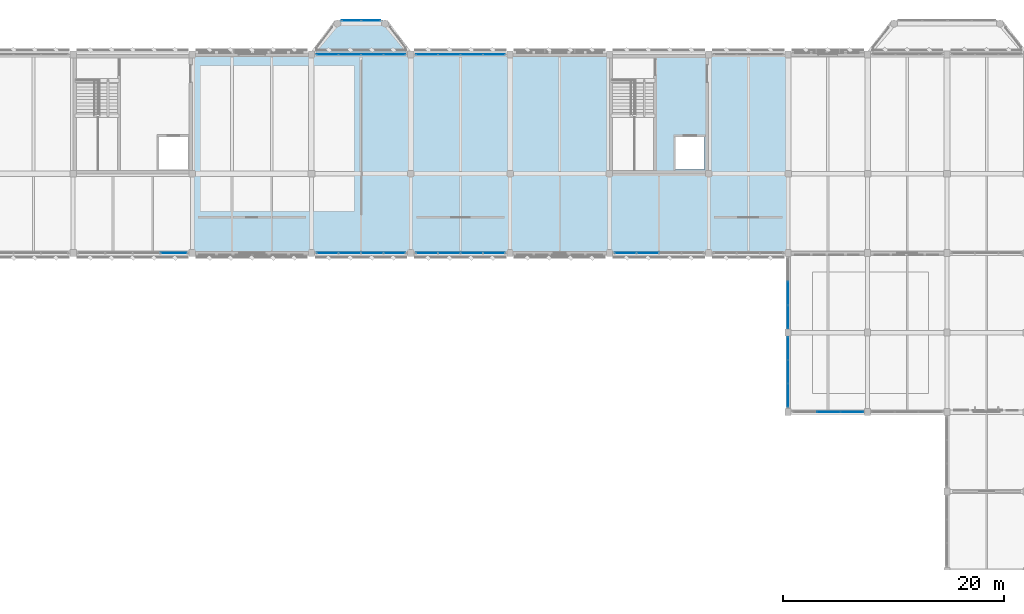
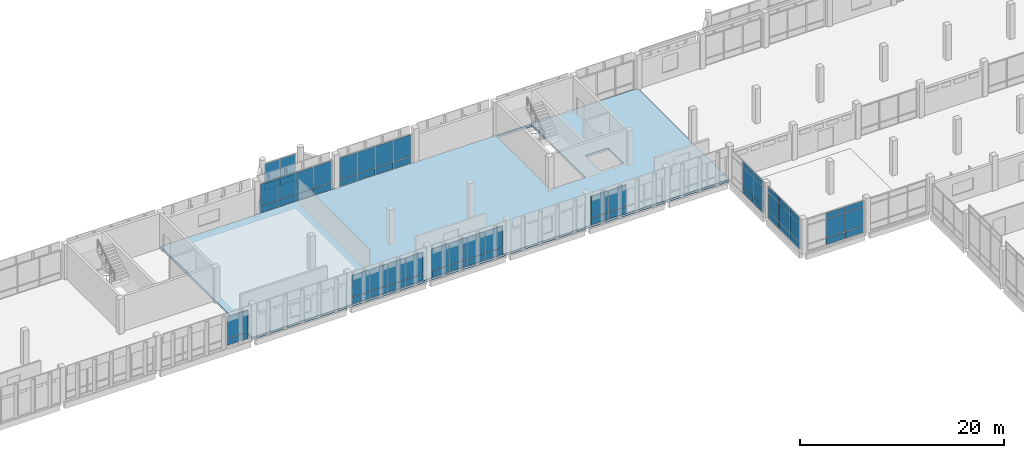
# One storey, part 124 of 158: 63 plates, 2 slabs, 10 elements without a shape of their own.
"""IFC4 building model written with IfcOpenShell, lengths in metres."""

import ifcopenshell
import ifcopenshell.guid

model = None  # the IFC model being written
_history = None  # IfcOwnerHistory: only IFC2X3 demands one
_inside = {}  # id of a spatial element -> (the spatial element, [elements in it])
_under = {}  # id of a project, library or spatial element -> (it, [spatial elements below it])
_declared = {}  # id of a project -> (the project, [libraries it declares])
_typed = {}  # id of a type object -> (the type object, [elements of that type])
_made_of = {}  # id of a material, layer set ... -> (it, [elements and type objects made of it])


def new_model(schema):
    """Start an empty IFC model of exactly this schema.

    Asked for "IFC4X3", IfcOpenShell would pick the latest addendum, in which some entities
    have other attributes; the version numbers below select the first issue.
    IFC2X3 requires an IfcOwnerHistory on every rooted entity: one is made here for all.
    """
    global model, _history
    if schema == "IFC4X3":
        model = ifcopenshell.file(schema_version=(4, 3, 0, 0))
    else:
        model = ifcopenshell.file(schema=schema)
    _inside.clear()
    _under.clear()
    _declared.clear()
    _typed.clear()
    _made_of.clear()
    _history = None
    if model.schema == "IFC2X3":
        org = make("IfcOrganization", Name="unknown")
        user = make(
            "IfcPersonAndOrganization",
            ThePerson=make("IfcPerson", FamilyName="unknown"),
            TheOrganization=org,
        )
        app = make(
            "IfcApplication",
            ApplicationDeveloper=org,
            Version="unknown",
            ApplicationFullName="unknown",
            ApplicationIdentifier="unknown",
        )
        _history = make(
            "IfcOwnerHistory",
            OwningUser=user,
            OwningApplication=app,
            ChangeAction="ADDED",
            CreationDate=0,
        )
    return model


def make(cls, **values):
    """One entity of the class cls with the attributes given. An attribute that is None is left unset."""
    return model.create_entity(
        cls, **{name: value for name, value in values.items() if value is not None}
    )


def rooted(cls, **values):
    """An entity with a GlobalId (a new one), such as an element, a storey or a relation."""
    return make(cls, GlobalId=ifcopenshell.guid.new(), OwnerHistory=_history, **values)


def si_unit(unit_type, name, prefix=None):
    """IfcSIUnit, for example si_unit("LENGTHUNIT", "METRE", prefix="MILLI")."""
    return make("IfcSIUnit", UnitType=unit_type, Prefix=prefix, Name=name)


def assignment(units):
    """IfcUnitAssignment: the units of a project."""
    return None if units is None else make("IfcUnitAssignment", Units=units)


def point(xyz):
    """IfcCartesianPoint."""
    return None if xyz is None else make("IfcCartesianPoint", Coordinates=xyz)


def direction(xyz):
    """IfcDirection."""
    return None if xyz is None else make("IfcDirection", DirectionRatios=xyz)


def frame(location, z_axis=None, x_axis=None):
    """IfcAxis2Placement3D, a coordinate frame: its origin and axes. An axis left out is left unset."""
    return make(
        "IfcAxis2Placement3D",
        Location=point(location),
        Axis=direction(z_axis),
        RefDirection=direction(x_axis),
    )


def frame_2d(location, x_axis=None):
    """IfcAxis2Placement2D, a coordinate frame in the plane: its origin and x axis."""
    return make(
        "IfcAxis2Placement2D", Location=point(location), RefDirection=direction(x_axis)
    )


def origin():
    """The frame at (0, 0, 0) with its axes left unset."""
    return frame((0.0, 0.0, 0.0))


def origin_2d():
    """The frame at (0, 0) in the plane with its x axis left unset."""
    return frame_2d((0.0, 0.0))


def place(relative_to, where):
    """IfcLocalPlacement: puts the frame where relative to a parent placement (None: the world)."""
    return make(
        "IfcLocalPlacement", PlacementRelTo=relative_to, RelativePlacement=where
    )


def context(
    kind, dimensions, precision=None, world=None, true_north=None, identifier=None
):
    """IfcGeometricRepresentationContext, for example the 3D "Model" context."""
    return make(
        "IfcGeometricRepresentationContext",
        ContextIdentifier=identifier,
        ContextType=kind,
        CoordinateSpaceDimension=dimensions,
        Precision=precision,
        WorldCoordinateSystem=world,
        TrueNorth=true_north,
    )


def subcontext(parent, identifier, kind, view, scale=None):
    """IfcGeometricRepresentationSubContext, for example "Body" below "Model"."""
    return make(
        "IfcGeometricRepresentationSubContext",
        ContextIdentifier=identifier,
        ContextType=kind,
        ParentContext=parent,
        TargetScale=scale,
        TargetView=view,
    )


def project(units=None, contexts=None):
    """IfcProject with its units and contexts."""
    return rooted(
        "IfcProject",
        Name="project",
        RepresentationContexts=contexts,
        UnitsInContext=assignment(units),
    )


def spatial(cls, under=None, at=None, **own):
    """A site, building, storey or space (cls), placed at a placement, below another one or the project."""
    s = rooted(cls, ObjectPlacement=at, **own)
    if under is not None:
        _under.setdefault(under.id(), (under, []))[1].append(s)
    return s


def polyline(points):
    """IfcPolyline through the points."""
    return make("IfcPolyline", Points=[point(p) for p in points])


def profile(cls, at=None, kind="AREA", **sizes):
    """A parametric profile (cls). Its sizes go by their IFC names, for example OverallWidth=200.0."""
    return make(cls, ProfileType=kind, Position=at, **sizes)


def rectangle(**sizes):
    """IfcRectangleProfileDef."""
    return profile("IfcRectangleProfileDef", **sizes)


def outline(outer, holes=None, kind="AREA"):
    """IfcArbitraryClosedProfileDef: a profile drawn as a closed curve; with holes, ...WithVoids."""
    if holes is None:
        return make("IfcArbitraryClosedProfileDef", ProfileType=kind, OuterCurve=outer)
    return make(
        "IfcArbitraryProfileDefWithVoids",
        ProfileType=kind,
        OuterCurve=outer,
        InnerCurves=holes,
    )


def extrude(swept, where, along, depth):
    """IfcExtrudedAreaSolid: the profile swept, set in the frame where, extruded along a direction by depth."""
    return make(
        "IfcExtrudedAreaSolid",
        SweptArea=swept,
        Position=where,
        ExtrudedDirection=direction(along),
        Depth=depth,
    )


def shape(context_of_items, identifier, shape_type, items):
    """IfcShapeRepresentation: the items that make up one representation, for example the "Body"."""
    return make(
        "IfcShapeRepresentation",
        ContextOfItems=context_of_items,
        RepresentationIdentifier=identifier,
        RepresentationType=shape_type,
        Items=items,
    )


def material(Name=None, Category=None):
    """IfcMaterial."""
    return make("IfcMaterial", Name=Name, Category=Category)


def layer(
    of_material, thickness, ventilated=None, Name=None, Category=None, Priority=None
):
    """IfcMaterialLayer: one layer of a wall or slab, of a material (None: an air gap)."""
    return make(
        "IfcMaterialLayer",
        Material=of_material,
        LayerThickness=thickness,
        IsVentilated=ventilated,
        Name=Name,
        Category=Category,
        Priority=Priority,
    )


def layer_set(layers, Name=None):
    """IfcMaterialLayerSet."""
    return make("IfcMaterialLayerSet", MaterialLayers=layers, LayerSetName=Name)


def made_of(thing, what):
    """Note that an element or type object is made of a material, layer set ...; save() writes the relation."""
    if what is not None:
        _made_of.setdefault(what.id(), (what, []))[1].append(thing)
    return thing


def type_object(cls, material=None, **own):
    """A type object (cls), such as IfcWallType, which elements share."""
    return made_of(rooted(cls, **own), material)


def element(
    cls,
    number,
    at=None,
    inside=None,
    cuts=None,
    type_object=None,
    material=None,
    context=None,
    identifier="Body",
    shape_type=None,
    held_by="IfcProductDefinitionShape",
    body=None,
    shapes=None,
    **own,
):
    """One element of the class cls, such as IfcWall. Its Tag is "e" and its number.

    at: its placement. inside: the storey or other place that contains it. cuts: it is an
    opening in that element (IfcRelVoidsElement). A single representation is given by context,
    identifier, shape_type and body (its items); several are given by shapes. held_by: the class
    of the entity that holds the representations. save() writes the other relations.
    """
    e = rooted(cls, Tag="e%d" % number, ObjectPlacement=at, **own)
    if body is not None:
        shapes = [shape(context, identifier, shape_type, body)]
    if shapes is not None:
        e.Representation = make(held_by, Representations=shapes)
    if inside is not None:
        _inside.setdefault(inside.id(), (inside, []))[1].append(e)
    if cuts is not None:
        rooted(
            "IfcRelVoidsElement", RelatingBuildingElement=cuts, RelatedOpeningElement=e
        )
    if type_object is not None:
        _typed.setdefault(type_object.id(), (type_object, []))[1].append(e)
    return made_of(e, material)


def aggregate(whole, parts):
    """IfcRelAggregates: a whole, such as a stair, and the parts it consists of."""
    return rooted("IfcRelAggregates", RelatingObject=whole, RelatedObjects=parts)


def save(model, path):
    """Write the relations noted so far, then the file.

    IfcRelAggregates (storeys below a building ...), IfcRelContainedInSpatialStructure (elements
    in a storey), IfcRelDefinesByType, IfcRelAssociatesMaterial and IfcRelDeclares: one each for
    every whole, place, type object, material and project.
    """
    for whole, parts in _under.values():
        aggregate(whole, parts)
    for where, things in _inside.values():
        rooted(
            "IfcRelContainedInSpatialStructure",
            RelatedElements=things,
            RelatingStructure=where,
        )
    for kind, things in _typed.values():
        rooted("IfcRelDefinesByType", RelatedObjects=things, RelatingType=kind)
    for what, things in _made_of.values():
        rooted("IfcRelAssociatesMaterial", RelatedObjects=things, RelatingMaterial=what)
    for by, libraries in _declared.values():
        rooted("IfcRelDeclares", RelatingContext=by, RelatedDefinitions=libraries)
    model.write(path)


model = new_model("IFC4")

# Units and contexts
model_context = context("Model", 3, precision=1e-05, world=origin(), true_north=direction((0.0, 1.0)))
body_context = subcontext(model_context, "Body", "Model", "MODEL_VIEW")
ifc_project = project(units=[si_unit("LENGTHUNIT", "METRE"), si_unit("AREAUNIT", "SQUARE_METRE"), si_unit("VOLUMEUNIT", "CUBIC_METRE"), si_unit("PLANEANGLEUNIT", "RADIAN"), si_unit("MASSUNIT", "GRAM", prefix="KILO")], contexts=[model_context])

# Site, building, storey
site_placement = place(None, origin())
site = spatial("IfcSite", under=ifc_project, at=site_placement, CompositionType="ELEMENT")
building_placement = place(site_placement, origin())
building = spatial("IfcBuilding", under=site, at=building_placement, Name="Lusvemor Sports Hall", CompositionType="ELEMENT")
storey_placement = place(building_placement, frame((0.0, 0.0, 10.800048828125)))
storey = spatial("IfcBuildingStorey", under=building, at=storey_placement, Name="L02", CompositionType="ELEMENT", Elevation=10.800048828125)

# Curtain wall, plates
ifc_material_1 = material(Name="Thermally broken bronze-anodized aluminium", Category="aluminium")
curtain_wall_type_1 = type_object("IfcCurtainWallType", Name="CW_WING_B", PredefinedType="NOTDEFINED", material=ifc_material_1)
curtain_wall_1_placement = place(storey_placement, origin())
curtain_wall_1 = element("IfcCurtainWall", 1, at=curtain_wall_1_placement, inside=storey, type_object=curtain_wall_type_1, Name="Curtain Wall CW-L02-N-1-7", PredefinedType="NOTDEFINED")
ifc_material_2 = material(Name="Solar-control laminated double glazing", Category="glass")
ifc_layer_1 = layer(ifc_material_2, 0.028076171875)
ifc_layer_set_1 = layer_set([ifc_layer_1], Name="Solar-control laminated double glazing")
plate_type_1 = type_object("IfcPlateType", Name="CW_PAN_GLZ_28", PredefinedType="CURTAIN_PANEL", material=ifc_layer_set_1)
plate_1_placement = place(storey_placement, frame((77.05615234375, 115.199951171875, 0.8798828125), z_axis=(0.0, 0.0, 1.0), x_axis=(1.0, 0.0, 0.0)))
plate_1 = element("IfcPlate", 2, at=plate_1_placement, type_object=plate_type_1, Name="CW02 panel 1.2", PredefinedType="CURTAIN_PANEL", context=body_context, shape_type="SweptSolid", body=[
    extrude(rectangle(XDim=1.9423828125, YDim=0.028076171875, at=origin_2d()), origin(), (0.0, 0.0, 1.0), 2.580078125),
])
plate_2_placement = place(storey_placement, frame((79.080078125, 115.199951171875, 0.8798828125), z_axis=(0.0, 0.0, 1.0), x_axis=(1.0, 0.0, 0.0)))
plate_2 = element("IfcPlate", 3, at=plate_2_placement, type_object=plate_type_1, Name="CW02 panel 2.2", PredefinedType="CURTAIN_PANEL", context=body_context, shape_type="SweptSolid", body=[
    extrude(rectangle(XDim=1.97509765625, YDim=0.028076171875, at=origin_2d()), origin(), (0.0, 0.0, 1.0), 2.580078125),
])
plate_3_placement = place(storey_placement, frame((81.1201171875, 115.199951171875, 0.8798828125), z_axis=(0.0, 0.0, 1.0), x_axis=(1.0, 0.0, 0.0)))
plate_3 = element("IfcPlate", 4, at=plate_3_placement, type_object=plate_type_1, Name="CW02 panel 3.2", PredefinedType="CURTAIN_PANEL", context=body_context, shape_type="SweptSolid", body=[
    extrude(rectangle(XDim=1.97509765625, YDim=0.028076171875, at=origin_2d()), origin(), (0.0, 0.0, 1.0), 2.580078125),
])
plate_4_placement = place(storey_placement, frame((83.143798828125, 115.199951171875, 0.8798828125), z_axis=(0.0, 0.0, 1.0), x_axis=(1.0, 0.0, 0.0)))
plate_4 = element("IfcPlate", 5, at=plate_4_placement, type_object=plate_type_1, Name="CW02 panel 4.2", PredefinedType="CURTAIN_PANEL", context=body_context, shape_type="SweptSolid", body=[
    extrude(rectangle(XDim=1.9423828125, YDim=0.028076171875, at=origin_2d()), origin(), (0.0, 0.0, 1.0), 2.580078125),
])

curtain_wall_2_placement = place(storey_placement, origin())
curtain_wall_2 = element("IfcCurtainWall", 6, at=curtain_wall_2_placement, inside=storey, type_object=curtain_wall_type_1, Name="Curtain Wall CW-L02-N-1-8", PredefinedType="NOTDEFINED")
plate_5_placement = place(storey_placement, frame((86.05615234375, 115.199951171875, 0.8798828125), z_axis=(0.0, 0.0, 1.0), x_axis=(1.0, 0.0, 0.0)))
plate_5 = element("IfcPlate", 7, at=plate_5_placement, type_object=plate_type_1, Name="CW02 panel 1.2", PredefinedType="CURTAIN_PANEL", context=body_context, shape_type="SweptSolid", body=[
    extrude(rectangle(XDim=1.9423828125, YDim=0.028076171875, at=origin_2d()), origin(), (0.0, 0.0, 1.0), 2.580078125),
])
plate_6_placement = place(storey_placement, frame((88.080078125, 115.199951171875, 0.8798828125), z_axis=(0.0, 0.0, 1.0), x_axis=(1.0, 0.0, 0.0)))
plate_6 = element("IfcPlate", 8, at=plate_6_placement, type_object=plate_type_1, Name="CW02 panel 2.2", PredefinedType="CURTAIN_PANEL", context=body_context, shape_type="SweptSolid", body=[
    extrude(rectangle(XDim=1.97509765625, YDim=0.028076171875, at=origin_2d()), origin(), (0.0, 0.0, 1.0), 2.580078125),
])
plate_7_placement = place(storey_placement, frame((90.1201171875, 115.199951171875, 0.8798828125), z_axis=(0.0, 0.0, 1.0), x_axis=(1.0, 0.0, 0.0)))
plate_7 = element("IfcPlate", 9, at=plate_7_placement, type_object=plate_type_1, Name="CW02 panel 3.2", PredefinedType="CURTAIN_PANEL", context=body_context, shape_type="SweptSolid", body=[
    extrude(rectangle(XDim=1.97509765625, YDim=0.028076171875, at=origin_2d()), origin(), (0.0, 0.0, 1.0), 2.580078125),
])
plate_8_placement = place(storey_placement, frame((92.143798828125, 115.199951171875, 0.8798828125), z_axis=(0.0, 0.0, 1.0), x_axis=(1.0, 0.0, 0.0)))
plate_8 = element("IfcPlate", 10, at=plate_8_placement, type_object=plate_type_1, Name="CW02 panel 4.2", PredefinedType="CURTAIN_PANEL", context=body_context, shape_type="SweptSolid", body=[
    extrude(rectangle(XDim=1.9423828125, YDim=0.028076171875, at=origin_2d()), origin(), (0.0, 0.0, 1.0), 2.580078125),
])

# Curtain wall, plate
curtain_wall_3_placement = place(storey_placement, origin())
curtain_wall_3 = element("IfcCurtainWall", 11, at=curtain_wall_3_placement, inside=storey, type_object=curtain_wall_type_1, Name="Curtain Wall CW-L02-S-3-3", PredefinedType="NOTDEFINED")
plate_9_placement = place(storey_placement, frame((63.11865234375, 97.199951171875, 0.8798828125), z_axis=(0.0, 0.0, 1.0), x_axis=(-1.0, 0.0, 0.0)))
plate_9 = element("IfcPlate", 12, at=plate_9_placement, type_object=plate_type_1, Name="CW02 panel 1.2", PredefinedType="CURTAIN_PANEL", context=body_context, shape_type="SweptSolid", body=[
    extrude(rectangle(XDim=2.392578125, YDim=0.028076171875, at=origin_2d()), origin(), (0.0, 0.0, 1.0), 2.580078125),
])

# Curtain wall, plates
curtain_wall_4_placement = place(storey_placement, origin())
curtain_wall_4 = element("IfcCurtainWall", 13, at=curtain_wall_4_placement, inside=storey, type_object=curtain_wall_type_1, Name="Curtain Wall CW-L02-S-3-5", PredefinedType="NOTDEFINED")
plate_10_placement = place(storey_placement, frame((83.143798828125, 97.199951171875, 0.8798828125), z_axis=(0.0, 0.0, 1.0), x_axis=(-1.0, 0.0, 0.0)))
plate_10 = element("IfcPlate", 14, at=plate_10_placement, type_object=plate_type_1, Name="CW02 panel 1.2", PredefinedType="CURTAIN_PANEL", context=body_context, shape_type="SweptSolid", body=[
    extrude(rectangle(XDim=1.9423828125, YDim=0.028076171875, at=origin_2d()), origin(), (0.0, 0.0, 1.0), 2.580078125),
])
plate_11_placement = place(storey_placement, frame((81.1201171875, 97.199951171875, 0.8798828125), z_axis=(0.0, 0.0, 1.0), x_axis=(-1.0, 0.0, 0.0)))
plate_11 = element("IfcPlate", 15, at=plate_11_placement, type_object=plate_type_1, Name="CW02 panel 2.2", PredefinedType="CURTAIN_PANEL", context=body_context, shape_type="SweptSolid", body=[
    extrude(rectangle(XDim=1.97509765625, YDim=0.028076171875, at=origin_2d()), origin(), (0.0, 0.0, 1.0), 2.580078125),
])
plate_12_placement = place(storey_placement, frame((79.080078125, 97.199951171875, 0.8798828125), z_axis=(0.0, 0.0, 1.0), x_axis=(-1.0, 0.0, 0.0)))
plate_12 = element("IfcPlate", 16, at=plate_12_placement, type_object=plate_type_1, Name="CW02 panel 3.2", PredefinedType="CURTAIN_PANEL", context=body_context, shape_type="SweptSolid", body=[
    extrude(rectangle(XDim=1.97509765625, YDim=0.028076171875, at=origin_2d()), origin(), (0.0, 0.0, 1.0), 2.580078125),
])
plate_13_placement = place(storey_placement, frame((77.05615234375, 97.199951171875, 0.8798828125), z_axis=(0.0, 0.0, 1.0), x_axis=(-1.0, 0.0, 0.0)))
plate_13 = element("IfcPlate", 17, at=plate_13_placement, type_object=plate_type_1, Name="CW02 panel 4.2", PredefinedType="CURTAIN_PANEL", context=body_context, shape_type="SweptSolid", body=[
    extrude(rectangle(XDim=1.9423828125, YDim=0.028076171875, at=origin_2d()), origin(), (0.0, 0.0, 1.0), 2.580078125),
])

curtain_wall_5_placement = place(storey_placement, origin())
curtain_wall_5 = element("IfcCurtainWall", 18, at=curtain_wall_5_placement, inside=storey, type_object=curtain_wall_type_1, Name="Curtain Wall CW-L02-S-3-6", PredefinedType="NOTDEFINED")
plate_14_placement = place(storey_placement, frame((92.143798828125, 97.199951171875, 0.8798828125), z_axis=(0.0, 0.0, 1.0), x_axis=(-1.0, 0.0, 0.0)))
plate_14 = element("IfcPlate", 19, at=plate_14_placement, type_object=plate_type_1, Name="CW02 panel 1.2", PredefinedType="CURTAIN_PANEL", context=body_context, shape_type="SweptSolid", body=[
    extrude(rectangle(XDim=1.9423828125, YDim=0.028076171875, at=origin_2d()), origin(), (0.0, 0.0, 1.0), 2.580078125),
])
plate_15_placement = place(storey_placement, frame((90.1201171875, 97.199951171875, 0.8798828125), z_axis=(0.0, 0.0, 1.0), x_axis=(-1.0, 0.0, 0.0)))
plate_15 = element("IfcPlate", 20, at=plate_15_placement, type_object=plate_type_1, Name="CW02 panel 2.2", PredefinedType="CURTAIN_PANEL", context=body_context, shape_type="SweptSolid", body=[
    extrude(rectangle(XDim=1.97509765625, YDim=0.028076171875, at=origin_2d()), origin(), (0.0, 0.0, 1.0), 2.580078125),
])
plate_16_placement = place(storey_placement, frame((88.080078125, 97.199951171875, 0.8798828125), z_axis=(0.0, 0.0, 1.0), x_axis=(-1.0, 0.0, 0.0)))
plate_16 = element("IfcPlate", 21, at=plate_16_placement, type_object=plate_type_1, Name="CW02 panel 3.2", PredefinedType="CURTAIN_PANEL", context=body_context, shape_type="SweptSolid", body=[
    extrude(rectangle(XDim=1.97509765625, YDim=0.028076171875, at=origin_2d()), origin(), (0.0, 0.0, 1.0), 2.580078125),
])
plate_17_placement = place(storey_placement, frame((86.05615234375, 97.199951171875, 0.8798828125), z_axis=(0.0, 0.0, 1.0), x_axis=(-1.0, 0.0, 0.0)))
plate_17 = element("IfcPlate", 22, at=plate_17_placement, type_object=plate_type_1, Name="CW02 panel 4.2", PredefinedType="CURTAIN_PANEL", context=body_context, shape_type="SweptSolid", body=[
    extrude(rectangle(XDim=1.9423828125, YDim=0.028076171875, at=origin_2d()), origin(), (0.0, 0.0, 1.0), 2.580078125),
])

curtain_wall_6_placement = place(storey_placement, origin())
curtain_wall_6 = element("IfcCurtainWall", 23, at=curtain_wall_6_placement, inside=storey, type_object=curtain_wall_type_1, Name="Curtain Wall CW-L02-S-3-8", PredefinedType="NOTDEFINED")
plate_18_placement = place(storey_placement, frame((106.080078125, 97.199951171875, 0.8798828125), z_axis=(0.0, 0.0, 1.0), x_axis=(-1.0, 0.0, 0.0)))
plate_18 = element("IfcPlate", 24, at=plate_18_placement, type_object=plate_type_1, Name="CW02 panel 3.2", PredefinedType="CURTAIN_PANEL", context=body_context, shape_type="SweptSolid", body=[
    extrude(rectangle(XDim=1.97509765625, YDim=0.028076171875, at=origin_2d()), origin(), (0.0, 0.0, 1.0), 2.580078125),
])
plate_19_placement = place(storey_placement, frame((104.05615234375, 97.199951171875, 0.8798828125), z_axis=(0.0, 0.0, 1.0), x_axis=(-1.0, 0.0, 0.0)))
plate_19 = element("IfcPlate", 25, at=plate_19_placement, type_object=plate_type_1, Name="CW02 panel 4.2", PredefinedType="CURTAIN_PANEL", context=body_context, shape_type="SweptSolid", body=[
    extrude(rectangle(XDim=1.9423828125, YDim=0.028076171875, at=origin_2d()), origin(), (0.0, 0.0, 1.0), 2.580078125),
])

curtain_wall_7_placement = place(storey_placement, origin())
curtain_wall_7 = element("IfcCurtainWall", 26, at=curtain_wall_7_placement, inside=storey, type_object=curtain_wall_type_1, Name="Curtain Wall CW-V5NE-W-L02-A", PredefinedType="NOTDEFINED")
plate_20_placement = place(storey_placement, frame((118.800048828125, 84.324462890625, 0.830078125), z_axis=(0.0, 0.0, 1.0), x_axis=(0.0, 1.0, 0.0)))
plate_20 = element("IfcPlate", 27, at=plate_20_placement, type_object=plate_type_1, Name="CW02 panel 1.2", PredefinedType="CURTAIN_PANEL", context=body_context, shape_type="SweptSolid", body=[
    extrude(rectangle(XDim=2.0390625, YDim=0.028076171875, at=origin_2d()), origin(), (0.0, 0.0, 1.0), 2.239990234375),
])
plate_21_placement = place(storey_placement, frame((118.800048828125, 84.324462890625, 3.1298828125), z_axis=(0.0, 0.0, 1.0), x_axis=(0.0, 1.0, 0.0)))
plate_21 = element("IfcPlate", 28, at=plate_21_placement, type_object=plate_type_1, Name="CW02 panel 1.3", PredefinedType="CURTAIN_PANEL", context=body_context, shape_type="SweptSolid", body=[
    extrude(rectangle(XDim=2.0390625, YDim=0.028076171875, at=origin_2d()), origin(), (0.0, 0.0, 1.0), 0.659912109375),
])
plate_22_placement = place(storey_placement, frame((118.800048828125, 86.445068359375, 0.830078125), z_axis=(0.0, 0.0, 1.0), x_axis=(0.0, 1.0, 0.0)))
plate_22 = element("IfcPlate", 29, at=plate_22_placement, type_object=plate_type_1, Name="CW02 panel 2.2", PredefinedType="CURTAIN_PANEL", context=body_context, shape_type="SweptSolid", body=[
    extrude(rectangle(XDim=2.07177734375, YDim=0.028076171875, at=origin_2d()), origin(), (0.0, 0.0, 1.0), 2.239990234375),
])
plate_23_placement = place(storey_placement, frame((118.800048828125, 86.445068359375, 3.1298828125), z_axis=(0.0, 0.0, 1.0), x_axis=(0.0, 1.0, 0.0)))
plate_23 = element("IfcPlate", 30, at=plate_23_placement, type_object=plate_type_1, Name="CW02 panel 2.3", PredefinedType="CURTAIN_PANEL", context=body_context, shape_type="SweptSolid", body=[
    extrude(rectangle(XDim=2.07177734375, YDim=0.028076171875, at=origin_2d()), origin(), (0.0, 0.0, 1.0), 0.659912109375),
])
plate_24_placement = place(storey_placement, frame((118.800048828125, 88.5654296875, 0.830078125), z_axis=(0.0, 0.0, 1.0), x_axis=(0.0, 1.0, 0.0)))
plate_24 = element("IfcPlate", 31, at=plate_24_placement, type_object=plate_type_1, Name="CW02 panel 3.2", PredefinedType="CURTAIN_PANEL", context=body_context, shape_type="SweptSolid", body=[
    extrude(rectangle(XDim=2.0390625, YDim=0.028076171875, at=origin_2d()), origin(), (0.0, 0.0, 1.0), 2.239990234375),
])
plate_25_placement = place(storey_placement, frame((118.800048828125, 88.5654296875, 3.1298828125), z_axis=(0.0, 0.0, 1.0), x_axis=(0.0, 1.0, 0.0)))
plate_25 = element("IfcPlate", 32, at=plate_25_placement, type_object=plate_type_1, Name="CW02 panel 3.3", PredefinedType="CURTAIN_PANEL", context=body_context, shape_type="SweptSolid", body=[
    extrude(rectangle(XDim=2.0390625, YDim=0.028076171875, at=origin_2d()), origin(), (0.0, 0.0, 1.0), 0.659912109375),
])

curtain_wall_8_placement = place(storey_placement, origin())
curtain_wall_8 = element("IfcCurtainWall", 33, at=curtain_wall_8_placement, inside=storey, type_object=curtain_wall_type_1, Name="Curtain Wall CW-V5NE-W-L02-B", PredefinedType="NOTDEFINED")
plate_26_placement = place(storey_placement, frame((118.800048828125, 91.4345703125, 0.830078125), z_axis=(0.0, 0.0, 1.0), x_axis=(0.0, 1.0, 0.0)))
plate_26 = element("IfcPlate", 34, at=plate_26_placement, type_object=plate_type_1, Name="CW02 panel 1.2", PredefinedType="CURTAIN_PANEL", context=body_context, shape_type="SweptSolid", body=[
    extrude(rectangle(XDim=2.0390625, YDim=0.028076171875, at=origin_2d()), origin(), (0.0, 0.0, 1.0), 2.239990234375),
])
plate_27_placement = place(storey_placement, frame((118.800048828125, 91.4345703125, 3.1298828125), z_axis=(0.0, 0.0, 1.0), x_axis=(0.0, 1.0, 0.0)))
plate_27 = element("IfcPlate", 35, at=plate_27_placement, type_object=plate_type_1, Name="CW02 panel 1.3", PredefinedType="CURTAIN_PANEL", context=body_context, shape_type="SweptSolid", body=[
    extrude(rectangle(XDim=2.0390625, YDim=0.028076171875, at=origin_2d()), origin(), (0.0, 0.0, 1.0), 0.659912109375),
])
plate_28_placement = place(storey_placement, frame((118.800048828125, 93.554931640625, 0.830078125), z_axis=(0.0, 0.0, 1.0), x_axis=(0.0, 1.0, 0.0)))
plate_28 = element("IfcPlate", 36, at=plate_28_placement, type_object=plate_type_1, Name="CW02 panel 2.2", PredefinedType="CURTAIN_PANEL", context=body_context, shape_type="SweptSolid", body=[
    extrude(rectangle(XDim=2.07177734375, YDim=0.028076171875, at=origin_2d()), origin(), (0.0, 0.0, 1.0), 2.239990234375),
])
plate_29_placement = place(storey_placement, frame((118.800048828125, 93.554931640625, 3.1298828125), z_axis=(0.0, 0.0, 1.0), x_axis=(0.0, 1.0, 0.0)))
plate_29 = element("IfcPlate", 37, at=plate_29_placement, type_object=plate_type_1, Name="CW02 panel 2.3", PredefinedType="CURTAIN_PANEL", context=body_context, shape_type="SweptSolid", body=[
    extrude(rectangle(XDim=2.07177734375, YDim=0.028076171875, at=origin_2d()), origin(), (0.0, 0.0, 1.0), 0.659912109375),
])

ifc_material_3 = material(Name="Thermally broken bronze-anodized aluminium", Category="aluminium")
curtain_wall_type_2 = type_object("IfcCurtainWallType", Name="CW_FOYER_A", PredefinedType="NOTDEFINED", material=ifc_material_3)
curtain_wall_9_placement = place(storey_placement, origin())
curtain_wall_9 = element("IfcCurtainWall", 38, at=curtain_wall_9_placement, inside=storey, type_object=curtain_wall_type_2, Name="Curtain Wall CW-BOW-N2-L02-M", PredefinedType="NOTDEFINED")
plate_30_placement = place(storey_placement, frame((79.21240234375, 118.300048828125, 0.88232421875), z_axis=(0.0, 0.0, 1.0), x_axis=(1.0, 0.0, 0.0)))
plate_30 = element("IfcPlate", 39, at=plate_30_placement, type_object=plate_type_1, Name="CW01 panel 1.2", PredefinedType="CURTAIN_PANEL", context=body_context, shape_type="SweptSolid", body=[
    extrude(rectangle(XDim=1.705078125, YDim=0.028076171875, at=origin_2d()), origin(), (0.0, 0.0, 1.0), 2.33251953125),
])
plate_31_placement = place(storey_placement, frame((80.987548828125, 118.300048828125, 0.88232421875), z_axis=(0.0, 0.0, 1.0), x_axis=(1.0, 0.0, 0.0)))
plate_31 = element("IfcPlate", 40, at=plate_31_placement, type_object=plate_type_1, Name="CW01 panel 2.2", PredefinedType="CURTAIN_PANEL", context=body_context, shape_type="SweptSolid", body=[
    extrude(rectangle(XDim=1.705078125, YDim=0.028076171875, at=origin_2d()), origin(), (0.0, 0.0, 1.0), 2.33251953125),
])

curtain_wall_10_placement = place(storey_placement, origin())
curtain_wall_10 = element("IfcCurtainWall", 41, at=curtain_wall_10_placement, inside=storey, type_object=curtain_wall_type_1, Name="Curtain Wall CW-V5NE-S-L02-B", PredefinedType="NOTDEFINED")
plate_32_placement = place(storey_placement, frame((124.5986328125, 82.800048828125, 0.830078125), z_axis=(0.0, 0.0, 1.0), x_axis=(-1.0, 0.0, 0.0)))
plate_32 = element("IfcPlate", 42, at=plate_32_placement, type_object=plate_type_1, Name="CW02 panel 1.2", PredefinedType="CURTAIN_PANEL", context=body_context, shape_type="SweptSolid", body=[
    extrude(rectangle(XDim=2.052490234375, YDim=0.028076171875, at=origin_2d()), origin(), (0.0, 0.0, 1.0), 2.239990234375),
])
plate_33_placement = place(storey_placement, frame((124.5986328125, 82.800048828125, 3.1298828125), z_axis=(0.0, 0.0, 1.0), x_axis=(-1.0, 0.0, 0.0)))
plate_33 = element("IfcPlate", 43, at=plate_33_placement, type_object=plate_type_1, Name="CW02 panel 1.3", PredefinedType="CURTAIN_PANEL", context=body_context, shape_type="SweptSolid", body=[
    extrude(rectangle(XDim=2.052490234375, YDim=0.028076171875, at=origin_2d()), origin(), (0.0, 0.0, 1.0), 0.659912109375),
])
plate_34_placement = place(storey_placement, frame((122.465087890625, 82.800048828125, 0.830078125), z_axis=(0.0, 0.0, 1.0), x_axis=(-1.0, 0.0, 0.0)))
plate_34 = element("IfcPlate", 44, at=plate_34_placement, type_object=plate_type_1, Name="CW02 panel 2.2", PredefinedType="CURTAIN_PANEL", context=body_context, shape_type="SweptSolid", body=[
    extrude(rectangle(XDim=2.0849609375, YDim=0.028076171875, at=origin_2d()), origin(), (0.0, 0.0, 1.0), 2.239990234375),
])
plate_35_placement = place(storey_placement, frame((122.465087890625, 82.800048828125, 3.1298828125), z_axis=(0.0, 0.0, 1.0), x_axis=(-1.0, 0.0, 0.0)))
plate_35 = element("IfcPlate", 45, at=plate_35_placement, type_object=plate_type_1, Name="CW02 panel 2.3", PredefinedType="CURTAIN_PANEL", context=body_context, shape_type="SweptSolid", body=[
    extrude(rectangle(XDim=2.0849609375, YDim=0.028076171875, at=origin_2d()), origin(), (0.0, 0.0, 1.0), 0.659912109375),
])

# Plate
ifc_material_4 = material(Name="Emerald polychrome glazed ceramic cladding on Concrete C40/50 backing", Category="concrete")
ifc_layer_2 = layer(ifc_material_4, 0.048095703125)
ifc_layer_set_2 = layer_set([ifc_layer_2], Name="Emerald polychrome glazed ceramic cladding on Concrete C40/50 backing")
plate_type_2 = type_object("IfcPlateType", Name="CW_PAN_SPN_48", PredefinedType="CURTAIN_PANEL", material=ifc_layer_set_2)
plate_36_placement = place(storey_placement, frame((77.05615234375, 115.199951171875, 0.06005859375), z_axis=(0.0, 0.0, 1.0), x_axis=(1.0, 0.0, 0.0)))
plate_36 = element("IfcPlate", 46, at=plate_36_placement, type_object=plate_type_2, Name="CW02 panel 1.1", PredefinedType="CURTAIN_PANEL", context=body_context, shape_type="SweptSolid", body=[
    extrude(rectangle(XDim=1.9423828125, YDim=0.048095703125, at=origin_2d()), origin(), (0.0, 0.0, 1.0), 0.760009765625),
])

plate_37_placement = place(storey_placement, frame((79.080078125, 115.199951171875, 0.06005859375), z_axis=(0.0, 0.0, 1.0), x_axis=(1.0, 0.0, 0.0)))
plate_37 = element("IfcPlate", 47, at=plate_37_placement, type_object=plate_type_2, Name="CW02 panel 2.1", PredefinedType="CURTAIN_PANEL", context=body_context, shape_type="SweptSolid", body=[
    extrude(rectangle(XDim=1.97509765625, YDim=0.048095703125, at=origin_2d()), origin(), (0.0, 0.0, 1.0), 0.760009765625),
])

plate_38_placement = place(storey_placement, frame((81.1201171875, 115.199951171875, 0.06005859375), z_axis=(0.0, 0.0, 1.0), x_axis=(1.0, 0.0, 0.0)))
plate_38 = element("IfcPlate", 48, at=plate_38_placement, type_object=plate_type_2, Name="CW02 panel 3.1", PredefinedType="CURTAIN_PANEL", context=body_context, shape_type="SweptSolid", body=[
    extrude(rectangle(XDim=1.97509765625, YDim=0.048095703125, at=origin_2d()), origin(), (0.0, 0.0, 1.0), 0.760009765625),
])

plate_39_placement = place(storey_placement, frame((83.143798828125, 115.199951171875, 0.06005859375), z_axis=(0.0, 0.0, 1.0), x_axis=(1.0, 0.0, 0.0)))
plate_39 = element("IfcPlate", 49, at=plate_39_placement, type_object=plate_type_2, Name="CW02 panel 4.1", PredefinedType="CURTAIN_PANEL", context=body_context, shape_type="SweptSolid", body=[
    extrude(rectangle(XDim=1.9423828125, YDim=0.048095703125, at=origin_2d()), origin(), (0.0, 0.0, 1.0), 0.760009765625),
])

aggregate(curtain_wall_1, [plate_36, plate_1, plate_37, plate_2, plate_38, plate_3, plate_39, plate_4])

plate_40_placement = place(storey_placement, frame((86.05615234375, 115.199951171875, 0.06005859375), z_axis=(0.0, 0.0, 1.0), x_axis=(1.0, 0.0, 0.0)))
plate_40 = element("IfcPlate", 50, at=plate_40_placement, type_object=plate_type_2, Name="CW02 panel 1.1", PredefinedType="CURTAIN_PANEL", context=body_context, shape_type="SweptSolid", body=[
    extrude(rectangle(XDim=1.9423828125, YDim=0.048095703125, at=origin_2d()), origin(), (0.0, 0.0, 1.0), 0.760009765625),
])

plate_41_placement = place(storey_placement, frame((88.080078125, 115.199951171875, 0.06005859375), z_axis=(0.0, 0.0, 1.0), x_axis=(1.0, 0.0, 0.0)))
plate_41 = element("IfcPlate", 51, at=plate_41_placement, type_object=plate_type_2, Name="CW02 panel 2.1", PredefinedType="CURTAIN_PANEL", context=body_context, shape_type="SweptSolid", body=[
    extrude(rectangle(XDim=1.97509765625, YDim=0.048095703125, at=origin_2d()), origin(), (0.0, 0.0, 1.0), 0.760009765625),
])

plate_42_placement = place(storey_placement, frame((90.1201171875, 115.199951171875, 0.06005859375), z_axis=(0.0, 0.0, 1.0), x_axis=(1.0, 0.0, 0.0)))
plate_42 = element("IfcPlate", 52, at=plate_42_placement, type_object=plate_type_2, Name="CW02 panel 3.1", PredefinedType="CURTAIN_PANEL", context=body_context, shape_type="SweptSolid", body=[
    extrude(rectangle(XDim=1.97509765625, YDim=0.048095703125, at=origin_2d()), origin(), (0.0, 0.0, 1.0), 0.760009765625),
])

plate_43_placement = place(storey_placement, frame((92.143798828125, 115.199951171875, 0.06005859375), z_axis=(0.0, 0.0, 1.0), x_axis=(1.0, 0.0, 0.0)))
plate_43 = element("IfcPlate", 53, at=plate_43_placement, type_object=plate_type_2, Name="CW02 panel 4.1", PredefinedType="CURTAIN_PANEL", context=body_context, shape_type="SweptSolid", body=[
    extrude(rectangle(XDim=1.9423828125, YDim=0.048095703125, at=origin_2d()), origin(), (0.0, 0.0, 1.0), 0.760009765625),
])

aggregate(curtain_wall_2, [plate_40, plate_5, plate_41, plate_6, plate_42, plate_7, plate_43, plate_8])

plate_44_placement = place(storey_placement, frame((63.11865234375, 97.199951171875, 0.06005859375), z_axis=(0.0, 0.0, 1.0), x_axis=(-1.0, 0.0, 0.0)))
plate_44 = element("IfcPlate", 54, at=plate_44_placement, type_object=plate_type_2, Name="CW02 panel 1.1", PredefinedType="CURTAIN_PANEL", context=body_context, shape_type="SweptSolid", body=[
    extrude(rectangle(XDim=2.392578125, YDim=0.048095703125, at=origin_2d()), origin(), (0.0, 0.0, 1.0), 0.760009765625),
])

aggregate(curtain_wall_3, [plate_44, plate_9])

plate_45_placement = place(storey_placement, frame((83.143798828125, 97.199951171875, 0.06005859375), z_axis=(0.0, 0.0, 1.0), x_axis=(-1.0, 0.0, 0.0)))
plate_45 = element("IfcPlate", 55, at=plate_45_placement, type_object=plate_type_2, Name="CW02 panel 1.1", PredefinedType="CURTAIN_PANEL", context=body_context, shape_type="SweptSolid", body=[
    extrude(rectangle(XDim=1.9423828125, YDim=0.048095703125, at=origin_2d()), origin(), (0.0, 0.0, 1.0), 0.760009765625),
])

plate_46_placement = place(storey_placement, frame((81.1201171875, 97.199951171875, 0.06005859375), z_axis=(0.0, 0.0, 1.0), x_axis=(-1.0, 0.0, 0.0)))
plate_46 = element("IfcPlate", 56, at=plate_46_placement, type_object=plate_type_2, Name="CW02 panel 2.1", PredefinedType="CURTAIN_PANEL", context=body_context, shape_type="SweptSolid", body=[
    extrude(rectangle(XDim=1.97509765625, YDim=0.048095703125, at=origin_2d()), origin(), (0.0, 0.0, 1.0), 0.760009765625),
])

plate_47_placement = place(storey_placement, frame((79.080078125, 97.199951171875, 0.06005859375), z_axis=(0.0, 0.0, 1.0), x_axis=(-1.0, 0.0, 0.0)))
plate_47 = element("IfcPlate", 57, at=plate_47_placement, type_object=plate_type_2, Name="CW02 panel 3.1", PredefinedType="CURTAIN_PANEL", context=body_context, shape_type="SweptSolid", body=[
    extrude(rectangle(XDim=1.97509765625, YDim=0.048095703125, at=origin_2d()), origin(), (0.0, 0.0, 1.0), 0.760009765625),
])

plate_48_placement = place(storey_placement, frame((77.05615234375, 97.199951171875, 0.06005859375), z_axis=(0.0, 0.0, 1.0), x_axis=(-1.0, 0.0, 0.0)))
plate_48 = element("IfcPlate", 58, at=plate_48_placement, type_object=plate_type_2, Name="CW02 panel 4.1", PredefinedType="CURTAIN_PANEL", context=body_context, shape_type="SweptSolid", body=[
    extrude(rectangle(XDim=1.9423828125, YDim=0.048095703125, at=origin_2d()), origin(), (0.0, 0.0, 1.0), 0.760009765625),
])

aggregate(curtain_wall_4, [plate_45, plate_10, plate_46, plate_11, plate_47, plate_12, plate_48, plate_13])

plate_49_placement = place(storey_placement, frame((92.143798828125, 97.199951171875, 0.06005859375), z_axis=(0.0, 0.0, 1.0), x_axis=(-1.0, 0.0, 0.0)))
plate_49 = element("IfcPlate", 59, at=plate_49_placement, type_object=plate_type_2, Name="CW02 panel 1.1", PredefinedType="CURTAIN_PANEL", context=body_context, shape_type="SweptSolid", body=[
    extrude(rectangle(XDim=1.9423828125, YDim=0.048095703125, at=origin_2d()), origin(), (0.0, 0.0, 1.0), 0.760009765625),
])

plate_50_placement = place(storey_placement, frame((90.1201171875, 97.199951171875, 0.06005859375), z_axis=(0.0, 0.0, 1.0), x_axis=(-1.0, 0.0, 0.0)))
plate_50 = element("IfcPlate", 60, at=plate_50_placement, type_object=plate_type_2, Name="CW02 panel 2.1", PredefinedType="CURTAIN_PANEL", context=body_context, shape_type="SweptSolid", body=[
    extrude(rectangle(XDim=1.97509765625, YDim=0.048095703125, at=origin_2d()), origin(), (0.0, 0.0, 1.0), 0.760009765625),
])

plate_51_placement = place(storey_placement, frame((88.080078125, 97.199951171875, 0.06005859375), z_axis=(0.0, 0.0, 1.0), x_axis=(-1.0, 0.0, 0.0)))
plate_51 = element("IfcPlate", 61, at=plate_51_placement, type_object=plate_type_2, Name="CW02 panel 3.1", PredefinedType="CURTAIN_PANEL", context=body_context, shape_type="SweptSolid", body=[
    extrude(rectangle(XDim=1.97509765625, YDim=0.048095703125, at=origin_2d()), origin(), (0.0, 0.0, 1.0), 0.760009765625),
])

plate_52_placement = place(storey_placement, frame((86.05615234375, 97.199951171875, 0.06005859375), z_axis=(0.0, 0.0, 1.0), x_axis=(-1.0, 0.0, 0.0)))
plate_52 = element("IfcPlate", 62, at=plate_52_placement, type_object=plate_type_2, Name="CW02 panel 4.1", PredefinedType="CURTAIN_PANEL", context=body_context, shape_type="SweptSolid", body=[
    extrude(rectangle(XDim=1.9423828125, YDim=0.048095703125, at=origin_2d()), origin(), (0.0, 0.0, 1.0), 0.760009765625),
])

aggregate(curtain_wall_5, [plate_49, plate_14, plate_50, plate_15, plate_51, plate_16, plate_52, plate_17])

plate_53_placement = place(storey_placement, frame((106.080078125, 97.199951171875, 0.06005859375), z_axis=(0.0, 0.0, 1.0), x_axis=(-1.0, 0.0, 0.0)))
plate_53 = element("IfcPlate", 63, at=plate_53_placement, type_object=plate_type_2, Name="CW02 panel 3.1", PredefinedType="CURTAIN_PANEL", context=body_context, shape_type="SweptSolid", body=[
    extrude(rectangle(XDim=1.97509765625, YDim=0.048095703125, at=origin_2d()), origin(), (0.0, 0.0, 1.0), 0.760009765625),
])

plate_54_placement = place(storey_placement, frame((104.05615234375, 97.199951171875, 0.06005859375), z_axis=(0.0, 0.0, 1.0), x_axis=(-1.0, 0.0, 0.0)))
plate_54 = element("IfcPlate", 64, at=plate_54_placement, type_object=plate_type_2, Name="CW02 panel 4.1", PredefinedType="CURTAIN_PANEL", context=body_context, shape_type="SweptSolid", body=[
    extrude(rectangle(XDim=1.9423828125, YDim=0.048095703125, at=origin_2d()), origin(), (0.0, 0.0, 1.0), 0.760009765625),
])

aggregate(curtain_wall_6, [plate_53, plate_18, plate_54, plate_19])

plate_55_placement = place(storey_placement, frame((118.800048828125, 84.324462890625, 0.009765625), z_axis=(0.0, 0.0, 1.0), x_axis=(0.0, 1.0, 0.0)))
plate_55 = element("IfcPlate", 65, at=plate_55_placement, type_object=plate_type_2, Name="CW02 panel 1.1", PredefinedType="CURTAIN_PANEL", context=body_context, shape_type="SweptSolid", body=[
    extrude(rectangle(XDim=2.0390625, YDim=0.048095703125, at=origin_2d()), origin(), (0.0, 0.0, 1.0), 0.760009765625),
])

plate_56_placement = place(storey_placement, frame((118.800048828125, 86.445068359375, 0.009765625), z_axis=(0.0, 0.0, 1.0), x_axis=(0.0, 1.0, 0.0)))
plate_56 = element("IfcPlate", 66, at=plate_56_placement, type_object=plate_type_2, Name="CW02 panel 2.1", PredefinedType="CURTAIN_PANEL", context=body_context, shape_type="SweptSolid", body=[
    extrude(rectangle(XDim=2.07177734375, YDim=0.048095703125, at=origin_2d()), origin(), (0.0, 0.0, 1.0), 0.760009765625),
])

plate_57_placement = place(storey_placement, frame((118.800048828125, 88.5654296875, 0.009765625), z_axis=(0.0, 0.0, 1.0), x_axis=(0.0, 1.0, 0.0)))
plate_57 = element("IfcPlate", 67, at=plate_57_placement, type_object=plate_type_2, Name="CW02 panel 3.1", PredefinedType="CURTAIN_PANEL", context=body_context, shape_type="SweptSolid", body=[
    extrude(rectangle(XDim=2.0390625, YDim=0.048095703125, at=origin_2d()), origin(), (0.0, 0.0, 1.0), 0.760009765625),
])

aggregate(curtain_wall_7, [plate_55, plate_20, plate_21, plate_56, plate_22, plate_23, plate_57, plate_24, plate_25])

plate_58_placement = place(storey_placement, frame((118.800048828125, 91.4345703125, 0.009765625), z_axis=(0.0, 0.0, 1.0), x_axis=(0.0, 1.0, 0.0)))
plate_58 = element("IfcPlate", 68, at=plate_58_placement, type_object=plate_type_2, Name="CW02 panel 1.1", PredefinedType="CURTAIN_PANEL", context=body_context, shape_type="SweptSolid", body=[
    extrude(rectangle(XDim=2.0390625, YDim=0.048095703125, at=origin_2d()), origin(), (0.0, 0.0, 1.0), 0.760009765625),
])

plate_59_placement = place(storey_placement, frame((118.800048828125, 93.554931640625, 0.009765625), z_axis=(0.0, 0.0, 1.0), x_axis=(0.0, 1.0, 0.0)))
plate_59 = element("IfcPlate", 69, at=plate_59_placement, type_object=plate_type_2, Name="CW02 panel 2.1", PredefinedType="CURTAIN_PANEL", context=body_context, shape_type="SweptSolid", body=[
    extrude(rectangle(XDim=2.07177734375, YDim=0.048095703125, at=origin_2d()), origin(), (0.0, 0.0, 1.0), 0.760009765625),
])

aggregate(curtain_wall_8, [plate_58, plate_26, plate_27, plate_59, plate_28, plate_29])

plate_60_placement = place(storey_placement, frame((79.21240234375, 118.300048828125, 0.06494140625), z_axis=(0.0, 0.0, 1.0), x_axis=(1.0, 0.0, 0.0)))
plate_60 = element("IfcPlate", 70, at=plate_60_placement, type_object=plate_type_2, Name="CW01 panel 1.1", PredefinedType="CURTAIN_PANEL", context=body_context, shape_type="SweptSolid", body=[
    extrude(rectangle(XDim=1.705078125, YDim=0.048095703125, at=origin_2d()), origin(), (0.0, 0.0, 1.0), 0.75244140625),
])

plate_61_placement = place(storey_placement, frame((80.987548828125, 118.300048828125, 0.06494140625), z_axis=(0.0, 0.0, 1.0), x_axis=(1.0, 0.0, 0.0)))
plate_61 = element("IfcPlate", 71, at=plate_61_placement, type_object=plate_type_2, Name="CW01 panel 2.1", PredefinedType="CURTAIN_PANEL", context=body_context, shape_type="SweptSolid", body=[
    extrude(rectangle(XDim=1.705078125, YDim=0.048095703125, at=origin_2d()), origin(), (0.0, 0.0, 1.0), 0.75244140625),
])

aggregate(curtain_wall_9, [plate_60, plate_30, plate_61, plate_31])

plate_62_placement = place(storey_placement, frame((124.5986328125, 82.800048828125, 0.009765625), z_axis=(0.0, 0.0, 1.0), x_axis=(-1.0, 0.0, 0.0)))
plate_62 = element("IfcPlate", 72, at=plate_62_placement, type_object=plate_type_2, Name="CW02 panel 1.1", PredefinedType="CURTAIN_PANEL", context=body_context, shape_type="SweptSolid", body=[
    extrude(rectangle(XDim=2.052490234375, YDim=0.048095703125, at=origin_2d()), origin(), (0.0, 0.0, 1.0), 0.760009765625),
])

plate_63_placement = place(storey_placement, frame((122.465087890625, 82.800048828125, 0.009765625), z_axis=(0.0, 0.0, 1.0), x_axis=(-1.0, 0.0, 0.0)))
plate_63 = element("IfcPlate", 73, at=plate_63_placement, type_object=plate_type_2, Name="CW02 panel 2.1", PredefinedType="CURTAIN_PANEL", context=body_context, shape_type="SweptSolid", body=[
    extrude(rectangle(XDim=2.0849609375, YDim=0.048095703125, at=origin_2d()), origin(), (0.0, 0.0, 1.0), 0.760009765625),
])

aggregate(curtain_wall_10, [plate_62, plate_32, plate_33, plate_63, plate_34, plate_35])

# Slabs
ifc_material_5 = material(Name="Concrete C40/50", Category="concrete")
ifc_layer_3 = layer(ifc_material_5, 0.260009765625)
ifc_layer_set_3 = layer_set([ifc_layer_3], Name="Concrete C40/50")
slab_type = type_object("IfcSlabType", Name="SLAB_INT_260", PredefinedType="FLOOR", material=ifc_layer_set_3)
slab_1_placement = place(storey_placement, frame((0.0, 0.0, -0.260009765625)))
element("IfcSlab", 74, at=slab_1_placement, inside=storey, type_object=slab_type, Name="Slab L02 V5-CN", PredefinedType="FLOOR", context=body_context, shape_type="SweptSolid", body=[
    extrude(outline(polyline([(64.800048828125, 97.199951171875), (118.800048828125, 97.199951171875), (118.800048828125, 115.199951171875), (64.800048828125, 115.199951171875), (64.800048828125, 97.199951171875)]), holes=[polyline([(102.760009765625, 104.56005859375), (106.739990234375, 104.56005859375), (106.739990234375, 115.0400390625), (102.760009765625, 115.0400390625), (102.760009765625, 104.56005859375)]), polyline([(108.60009765625, 104.800048828125), (111.199951171875, 104.800048828125), (111.199951171875, 107.800048828125), (108.60009765625, 107.800048828125), (108.60009765625, 104.800048828125)])]), origin(), (0.0, 0.0, 1.0), 0.260009765625),
])
slab_2_placement = place(storey_placement, frame((0.0, 0.0, -0.260009765625)))
element("IfcSlab", 75, at=slab_2_placement, inside=storey, type_object=slab_type, Name="Bow Pavilion Slab BOW-N2 (L02)", PredefinedType="FLOOR", context=body_context, shape_type="SweptSolid", body=[
    extrude(outline(polyline([(75.60009765625, 115.199951171875), (77.93994140625, 118.300048828125), (82.260009765625, 118.300048828125), (84.60009765625, 115.199951171875), (75.60009765625, 115.199951171875)])), origin(), (0.0, 0.0, 1.0), 0.260009765625),
])

save(model, "model.ifc")
